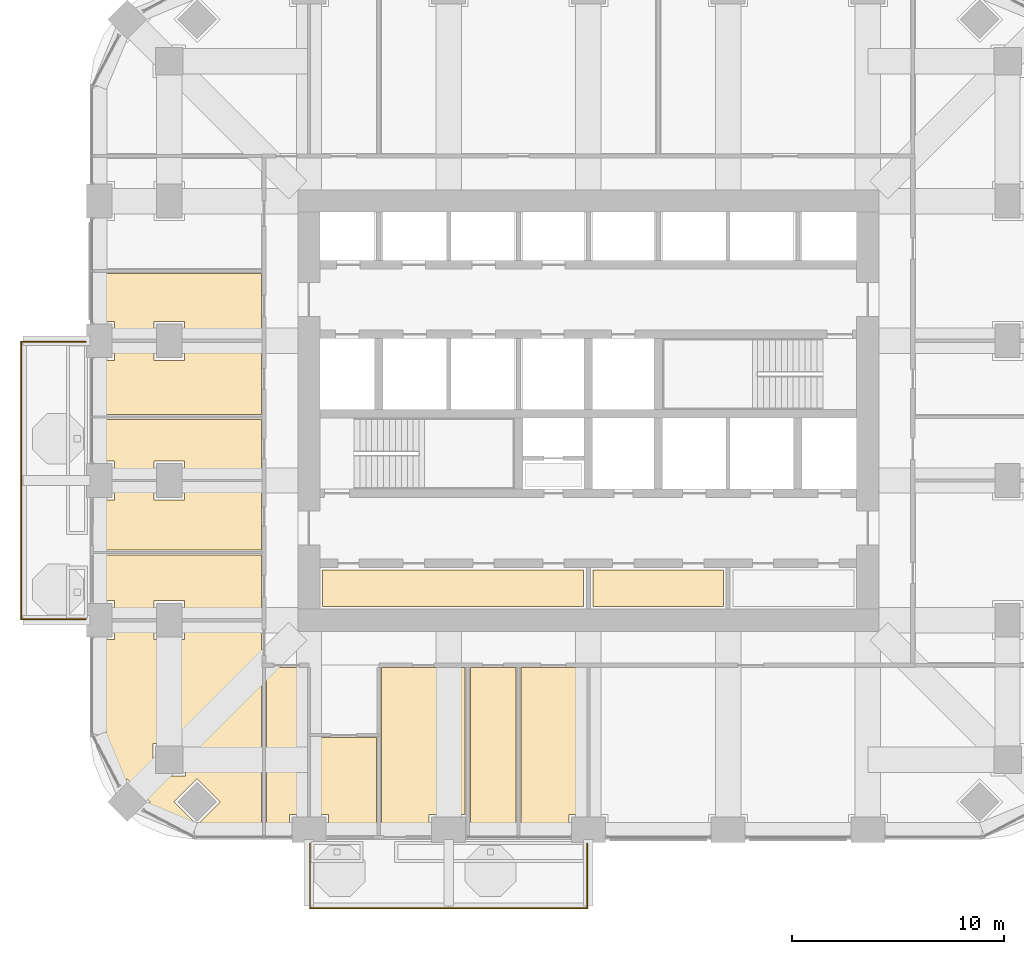
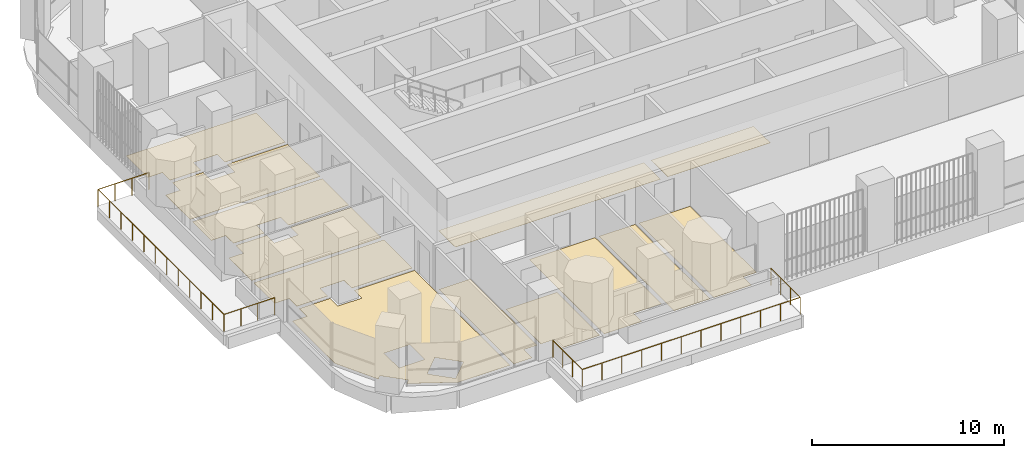
# One storey, part 15 of 19: 13 coverings, 2 railings.
"""IFC4 building model written with IfcOpenShell, lengths in metres."""

from ifc_helpers import new_model, si_unit, direction, frame, origin, place, context, subcontext, project, spatial, polyline, outline, extrude, material, layer, layer_set, type_object, element, save


model = new_model("IFC4")

# Units and contexts
model_context = context("Model", 3, precision=1e-05, world=origin(), true_north=direction((0.0, 1.0)))
body_context = subcontext(model_context, "Body", "Model", "MODEL_VIEW")
ifc_project = project(units=[si_unit("LENGTHUNIT", "METRE"), si_unit("AREAUNIT", "SQUARE_METRE"), si_unit("VOLUMEUNIT", "CUBIC_METRE"), si_unit("PLANEANGLEUNIT", "RADIAN"), si_unit("MASSUNIT", "GRAM", prefix="KILO")], contexts=[model_context])

# Site, building, storey
site_placement = place(None, origin())
site = spatial("IfcSite", under=ifc_project, at=site_placement, CompositionType="ELEMENT")
building_placement = place(site_placement, origin())
building = spatial("IfcBuilding", under=site, at=building_placement, Name="Cobogo Forest Laboratory Tower", CompositionType="ELEMENT")
storey_placement = place(building_placement, frame((0.0, 0.0, 159.89990234375)))
storey = spatial("IfcBuildingStorey", under=building, at=storey_placement, Name="L36", CompositionType="ELEMENT", Elevation=159.89990234375)

# Railings
ifc_material_1 = material(Name="Laminated glass balustrade", Category="glass")
railing_type = type_object("IfcRailingType", Name="BG1 glass balustrade 1100", PredefinedType="GUARDRAIL", material=ifc_material_1)
railing_1_placement = place(storey_placement, frame((13.25, 2.64990234375, 0.0)))
element("IfcRailing", 1, at=railing_1_placement, inside=storey, type_object=railing_type, Name="Balcony balustrade BAL-S1 L36", PredefinedType="GUARDRAIL", context=body_context, shape_type="SweptSolid", body=[
    extrude(outline(polyline([(0.022216796875, 0.00927734375), (0.00927734375, 0.022216796875), (-0.00927734375, 0.022216796875), (-0.022216796875, 0.00927734375), (-0.022216796875, -0.00927734375), (-0.00927734375, -0.022216796875), (0.00927734375, -0.022216796875), (0.022216796875, -0.00927734375), (0.022216796875, 0.00927734375)])), frame((0.0, 0.0, 1.077880859375), z_axis=(0.0, -1.0, 0.0), x_axis=(1.0, 0.0, 0.0)), (0.0, 0.0, 1.0), 3.0498046875),
    extrude(outline(polyline([(0.022216796875, 0.00927734375), (0.00927734375, 0.022216796875), (-0.00927734375, 0.022216796875), (-0.022216796875, 0.00927734375), (-0.022216796875, -0.00927734375), (-0.00927734375, -0.022216796875), (0.00927734375, -0.022216796875), (0.022216796875, -0.00927734375), (0.022216796875, 0.00927734375)])), frame((0.0, -3.0498046875, 1.077880859375), z_axis=(1.0, 0.0, 0.0), x_axis=(0.0, 1.0, 0.0)), (0.0, 0.0, 1.0), 13.10009765625),
    extrude(outline(polyline([(0.022216796875, 0.00927734375), (0.00927734375, 0.022216796875), (-0.00927734375, 0.022216796875), (-0.022216796875, 0.00927734375), (-0.022216796875, -0.00927734375), (-0.00927734375, -0.022216796875), (0.00927734375, -0.022216796875), (0.022216796875, -0.00927734375), (0.022216796875, 0.00927734375)])), frame((13.10009765625, -3.0498046875, 1.077880859375), z_axis=(0.0, 1.0, 0.0), x_axis=(-1.0, 0.0, 0.0)), (0.0, 0.0, 1.0), 3.0498046875),
    extrude(outline(polyline([(0.019287109375, 0.008056640625), (0.008056640625, 0.019287109375), (-0.008056640625, 0.019287109375), (-0.019287109375, 0.008056640625), (-0.019287109375, -0.008056640625), (-0.008056640625, -0.019287109375), (0.008056640625, -0.019287109375), (0.019287109375, -0.008056640625), (0.019287109375, 0.008056640625)])), origin(), (0.0, 0.0, 1.0), 1.077880859375),
    extrude(outline(polyline([(0.019287109375, 0.008056640625), (0.008056640625, 0.019287109375), (-0.008056640625, 0.019287109375), (-0.019287109375, 0.008056640625), (-0.019287109375, -0.008056640625), (-0.008056640625, -0.019287109375), (0.008056640625, -0.019287109375), (0.019287109375, -0.008056640625), (0.019287109375, 0.008056640625)])), frame((0.0, -1.0166015625, 0.0)), (0.0, 0.0, 1.0), 1.077880859375),
    extrude(outline(polyline([(0.019287109375, 0.008056640625), (0.008056640625, 0.019287109375), (-0.008056640625, 0.019287109375), (-0.019287109375, 0.008056640625), (-0.019287109375, -0.008056640625), (-0.008056640625, -0.019287109375), (0.008056640625, -0.019287109375), (0.019287109375, -0.008056640625), (0.019287109375, 0.008056640625)])), frame((0.0, -2.033203125, 0.0)), (0.0, 0.0, 1.0), 1.077880859375),
    extrude(outline(polyline([(0.019287109375, 0.008056640625), (0.008056640625, 0.019287109375), (-0.008056640625, 0.019287109375), (-0.019287109375, 0.008056640625), (-0.019287109375, -0.008056640625), (-0.008056640625, -0.019287109375), (0.008056640625, -0.019287109375), (0.019287109375, -0.008056640625), (0.019287109375, 0.008056640625)])), frame((0.0, -3.0498046875, 0.0)), (0.0, 0.0, 1.0), 1.077880859375),
    extrude(outline(polyline([(0.019287109375, 0.008056640625), (0.008056640625, 0.019287109375), (-0.008056640625, 0.019287109375), (-0.019287109375, 0.008056640625), (-0.019287109375, -0.008056640625), (-0.008056640625, -0.019287109375), (0.008056640625, -0.019287109375), (0.019287109375, -0.008056640625), (0.019287109375, 0.008056640625)])), frame((1.19091796875, -3.0498046875, 0.0)), (0.0, 0.0, 1.0), 1.077880859375),
    extrude(outline(polyline([(0.019287109375, 0.008056640625), (0.008056640625, 0.019287109375), (-0.008056640625, 0.019287109375), (-0.019287109375, 0.008056640625), (-0.019287109375, -0.008056640625), (-0.008056640625, -0.019287109375), (0.008056640625, -0.019287109375), (0.019287109375, -0.008056640625), (0.019287109375, 0.008056640625)])), frame((2.3818359375, -3.0498046875, 0.0)), (0.0, 0.0, 1.0), 1.077880859375),
    extrude(outline(polyline([(0.019287109375, 0.008056640625), (0.008056640625, 0.019287109375), (-0.008056640625, 0.019287109375), (-0.019287109375, 0.008056640625), (-0.019287109375, -0.008056640625), (-0.008056640625, -0.019287109375), (0.008056640625, -0.019287109375), (0.019287109375, -0.008056640625), (0.019287109375, 0.008056640625)])), frame((3.57275390625, -3.0498046875, 0.0)), (0.0, 0.0, 1.0), 1.077880859375),
    extrude(outline(polyline([(0.019287109375, 0.008056640625), (0.008056640625, 0.019287109375), (-0.008056640625, 0.019287109375), (-0.019287109375, 0.008056640625), (-0.019287109375, -0.008056640625), (-0.008056640625, -0.019287109375), (0.008056640625, -0.019287109375), (0.019287109375, -0.008056640625), (0.019287109375, 0.008056640625)])), frame((4.763671875, -3.0498046875, 0.0)), (0.0, 0.0, 1.0), 1.077880859375),
    extrude(outline(polyline([(0.019287109375, 0.008056640625), (0.008056640625, 0.019287109375), (-0.008056640625, 0.019287109375), (-0.019287109375, 0.008056640625), (-0.019287109375, -0.008056640625), (-0.008056640625, -0.019287109375), (0.008056640625, -0.019287109375), (0.019287109375, -0.008056640625), (0.019287109375, 0.008056640625)])), frame((5.95458984375, -3.0498046875, 0.0)), (0.0, 0.0, 1.0), 1.077880859375),
    extrude(outline(polyline([(0.019287109375, 0.008056640625), (0.008056640625, 0.019287109375), (-0.008056640625, 0.019287109375), (-0.019287109375, 0.008056640625), (-0.019287109375, -0.008056640625), (-0.008056640625, -0.019287109375), (0.008056640625, -0.019287109375), (0.019287109375, -0.008056640625), (0.019287109375, 0.008056640625)])), frame((7.1455078125, -3.0498046875, 0.0)), (0.0, 0.0, 1.0), 1.077880859375),
    extrude(outline(polyline([(0.019287109375, 0.008056640625), (0.008056640625, 0.019287109375), (-0.008056640625, 0.019287109375), (-0.019287109375, 0.008056640625), (-0.019287109375, -0.008056640625), (-0.008056640625, -0.019287109375), (0.008056640625, -0.019287109375), (0.019287109375, -0.008056640625), (0.019287109375, 0.008056640625)])), frame((8.33642578125, -3.0498046875, 0.0)), (0.0, 0.0, 1.0), 1.077880859375),
    extrude(outline(polyline([(0.019287109375, 0.008056640625), (0.008056640625, 0.019287109375), (-0.008056640625, 0.019287109375), (-0.019287109375, 0.008056640625), (-0.019287109375, -0.008056640625), (-0.008056640625, -0.019287109375), (0.008056640625, -0.019287109375), (0.019287109375, -0.008056640625), (0.019287109375, 0.008056640625)])), frame((9.52734375, -3.0498046875, 0.0)), (0.0, 0.0, 1.0), 1.077880859375),
    extrude(outline(polyline([(0.019287109375, 0.008056640625), (0.008056640625, 0.019287109375), (-0.008056640625, 0.019287109375), (-0.019287109375, 0.008056640625), (-0.019287109375, -0.008056640625), (-0.008056640625, -0.019287109375), (0.008056640625, -0.019287109375), (0.019287109375, -0.008056640625), (0.019287109375, 0.008056640625)])), frame((10.71826171875, -3.0498046875, 0.0)), (0.0, 0.0, 1.0), 1.077880859375),
    extrude(outline(polyline([(0.019287109375, 0.008056640625), (0.008056640625, 0.019287109375), (-0.008056640625, 0.019287109375), (-0.019287109375, 0.008056640625), (-0.019287109375, -0.008056640625), (-0.008056640625, -0.019287109375), (0.008056640625, -0.019287109375), (0.019287109375, -0.008056640625), (0.019287109375, 0.008056640625)])), frame((11.9091796875, -3.0498046875, 0.0)), (0.0, 0.0, 1.0), 1.077880859375),
    extrude(outline(polyline([(0.019287109375, 0.008056640625), (0.008056640625, 0.019287109375), (-0.008056640625, 0.019287109375), (-0.019287109375, 0.008056640625), (-0.019287109375, -0.008056640625), (-0.008056640625, -0.019287109375), (0.008056640625, -0.019287109375), (0.019287109375, -0.008056640625), (0.019287109375, 0.008056640625)])), frame((13.10009765625, -3.0498046875, 0.0)), (0.0, 0.0, 1.0), 1.077880859375),
    extrude(outline(polyline([(0.019287109375, 0.008056640625), (0.008056640625, 0.019287109375), (-0.008056640625, 0.019287109375), (-0.019287109375, 0.008056640625), (-0.019287109375, -0.008056640625), (-0.008056640625, -0.019287109375), (0.008056640625, -0.019287109375), (0.019287109375, -0.008056640625), (0.019287109375, 0.008056640625)])), frame((13.10009765625, -2.033203125, 0.0)), (0.0, 0.0, 1.0), 1.077880859375),
    extrude(outline(polyline([(0.019287109375, 0.008056640625), (0.008056640625, 0.019287109375), (-0.008056640625, 0.019287109375), (-0.019287109375, 0.008056640625), (-0.019287109375, -0.008056640625), (-0.008056640625, -0.019287109375), (0.008056640625, -0.019287109375), (0.019287109375, -0.008056640625), (0.019287109375, 0.008056640625)])), frame((13.10009765625, -1.0166015625, 0.0)), (0.0, 0.0, 1.0), 1.077880859375),
    extrude(outline(polyline([(0.019287109375, 0.008056640625), (0.008056640625, 0.019287109375), (-0.008056640625, 0.019287109375), (-0.019287109375, 0.008056640625), (-0.019287109375, -0.008056640625), (-0.008056640625, -0.019287109375), (0.008056640625, -0.019287109375), (0.019287109375, -0.008056640625), (0.019287109375, 0.008056640625)])), frame((13.10009765625, 0.0, 0.0)), (0.0, 0.0, 1.0), 1.077880859375),
])
railing_2_placement = place(storey_placement, frame((2.64990234375, 13.25, 0.0)))
element("IfcRailing", 2, at=railing_2_placement, inside=storey, type_object=railing_type, Name="Balcony balustrade BAL-W1 L36", PredefinedType="GUARDRAIL", context=body_context, shape_type="SweptSolid", body=[
    extrude(outline(polyline([(0.022216796875, 0.00927734375), (0.00927734375, 0.022216796875), (-0.00927734375, 0.022216796875), (-0.022216796875, 0.00927734375), (-0.022216796875, -0.00927734375), (-0.00927734375, -0.022216796875), (0.00927734375, -0.022216796875), (0.022216796875, -0.00927734375), (0.022216796875, 0.00927734375)])), frame((0.0, 0.0, 1.077880859375), z_axis=(-1.0, 0.0, 0.0), x_axis=(0.0, -1.0, 0.0)), (0.0, 0.0, 1.0), 3.0498046875),
    extrude(outline(polyline([(0.022216796875, 0.00927734375), (0.00927734375, 0.022216796875), (-0.00927734375, 0.022216796875), (-0.022216796875, 0.00927734375), (-0.022216796875, -0.00927734375), (-0.00927734375, -0.022216796875), (0.00927734375, -0.022216796875), (0.022216796875, -0.00927734375), (0.022216796875, 0.00927734375)])), frame((-3.0498046875, 0.0, 1.077880859375), z_axis=(0.0, 1.0, 0.0), x_axis=(-1.0, 0.0, 0.0)), (0.0, 0.0, 1.0), 13.10009765625),
    extrude(outline(polyline([(0.022216796875, 0.00927734375), (0.00927734375, 0.022216796875), (-0.00927734375, 0.022216796875), (-0.022216796875, 0.00927734375), (-0.022216796875, -0.00927734375), (-0.00927734375, -0.022216796875), (0.00927734375, -0.022216796875), (0.022216796875, -0.00927734375), (0.022216796875, 0.00927734375)])), frame((-3.0498046875, 13.10009765625, 1.077880859375), z_axis=(1.0, 0.0, 0.0), x_axis=(0.0, 1.0, 0.0)), (0.0, 0.0, 1.0), 3.0498046875),
    extrude(outline(polyline([(0.019287109375, 0.008056640625), (0.008056640625, 0.019287109375), (-0.008056640625, 0.019287109375), (-0.019287109375, 0.008056640625), (-0.019287109375, -0.008056640625), (-0.008056640625, -0.019287109375), (0.008056640625, -0.019287109375), (0.019287109375, -0.008056640625), (0.019287109375, 0.008056640625)])), origin(), (0.0, 0.0, 1.0), 1.077880859375),
    extrude(outline(polyline([(0.019287109375, 0.008056640625), (0.008056640625, 0.019287109375), (-0.008056640625, 0.019287109375), (-0.019287109375, 0.008056640625), (-0.019287109375, -0.008056640625), (-0.008056640625, -0.019287109375), (0.008056640625, -0.019287109375), (0.019287109375, -0.008056640625), (0.019287109375, 0.008056640625)])), frame((-1.0166015625, 0.0, 0.0)), (0.0, 0.0, 1.0), 1.077880859375),
    extrude(outline(polyline([(0.019287109375, 0.008056640625), (0.008056640625, 0.019287109375), (-0.008056640625, 0.019287109375), (-0.019287109375, 0.008056640625), (-0.019287109375, -0.008056640625), (-0.008056640625, -0.019287109375), (0.008056640625, -0.019287109375), (0.019287109375, -0.008056640625), (0.019287109375, 0.008056640625)])), frame((-2.033203125, 0.0, 0.0)), (0.0, 0.0, 1.0), 1.077880859375),
    extrude(outline(polyline([(0.019287109375, 0.008056640625), (0.008056640625, 0.019287109375), (-0.008056640625, 0.019287109375), (-0.019287109375, 0.008056640625), (-0.019287109375, -0.008056640625), (-0.008056640625, -0.019287109375), (0.008056640625, -0.019287109375), (0.019287109375, -0.008056640625), (0.019287109375, 0.008056640625)])), frame((-3.0498046875, 0.0, 0.0)), (0.0, 0.0, 1.0), 1.077880859375),
    extrude(outline(polyline([(0.019287109375, 0.008056640625), (0.008056640625, 0.019287109375), (-0.008056640625, 0.019287109375), (-0.019287109375, 0.008056640625), (-0.019287109375, -0.008056640625), (-0.008056640625, -0.019287109375), (0.008056640625, -0.019287109375), (0.019287109375, -0.008056640625), (0.019287109375, 0.008056640625)])), frame((-3.0498046875, 1.19091796875, 0.0)), (0.0, 0.0, 1.0), 1.077880859375),
    extrude(outline(polyline([(0.019287109375, 0.008056640625), (0.008056640625, 0.019287109375), (-0.008056640625, 0.019287109375), (-0.019287109375, 0.008056640625), (-0.019287109375, -0.008056640625), (-0.008056640625, -0.019287109375), (0.008056640625, -0.019287109375), (0.019287109375, -0.008056640625), (0.019287109375, 0.008056640625)])), frame((-3.0498046875, 2.3818359375, 0.0)), (0.0, 0.0, 1.0), 1.077880859375),
    extrude(outline(polyline([(0.019287109375, 0.008056640625), (0.008056640625, 0.019287109375), (-0.008056640625, 0.019287109375), (-0.019287109375, 0.008056640625), (-0.019287109375, -0.008056640625), (-0.008056640625, -0.019287109375), (0.008056640625, -0.019287109375), (0.019287109375, -0.008056640625), (0.019287109375, 0.008056640625)])), frame((-3.0498046875, 3.57275390625, 0.0)), (0.0, 0.0, 1.0), 1.077880859375),
    extrude(outline(polyline([(0.019287109375, 0.008056640625), (0.008056640625, 0.019287109375), (-0.008056640625, 0.019287109375), (-0.019287109375, 0.008056640625), (-0.019287109375, -0.008056640625), (-0.008056640625, -0.019287109375), (0.008056640625, -0.019287109375), (0.019287109375, -0.008056640625), (0.019287109375, 0.008056640625)])), frame((-3.0498046875, 4.763671875, 0.0)), (0.0, 0.0, 1.0), 1.077880859375),
    extrude(outline(polyline([(0.019287109375, 0.008056640625), (0.008056640625, 0.019287109375), (-0.008056640625, 0.019287109375), (-0.019287109375, 0.008056640625), (-0.019287109375, -0.008056640625), (-0.008056640625, -0.019287109375), (0.008056640625, -0.019287109375), (0.019287109375, -0.008056640625), (0.019287109375, 0.008056640625)])), frame((-3.0498046875, 5.95458984375, 0.0)), (0.0, 0.0, 1.0), 1.077880859375),
    extrude(outline(polyline([(0.019287109375, 0.008056640625), (0.008056640625, 0.019287109375), (-0.008056640625, 0.019287109375), (-0.019287109375, 0.008056640625), (-0.019287109375, -0.008056640625), (-0.008056640625, -0.019287109375), (0.008056640625, -0.019287109375), (0.019287109375, -0.008056640625), (0.019287109375, 0.008056640625)])), frame((-3.0498046875, 7.1455078125, 0.0)), (0.0, 0.0, 1.0), 1.077880859375),
    extrude(outline(polyline([(0.019287109375, 0.008056640625), (0.008056640625, 0.019287109375), (-0.008056640625, 0.019287109375), (-0.019287109375, 0.008056640625), (-0.019287109375, -0.008056640625), (-0.008056640625, -0.019287109375), (0.008056640625, -0.019287109375), (0.019287109375, -0.008056640625), (0.019287109375, 0.008056640625)])), frame((-3.0498046875, 8.33642578125, 0.0)), (0.0, 0.0, 1.0), 1.077880859375),
    extrude(outline(polyline([(0.019287109375, 0.008056640625), (0.008056640625, 0.019287109375), (-0.008056640625, 0.019287109375), (-0.019287109375, 0.008056640625), (-0.019287109375, -0.008056640625), (-0.008056640625, -0.019287109375), (0.008056640625, -0.019287109375), (0.019287109375, -0.008056640625), (0.019287109375, 0.008056640625)])), frame((-3.0498046875, 9.52734375, 0.0)), (0.0, 0.0, 1.0), 1.077880859375),
    extrude(outline(polyline([(0.019287109375, 0.008056640625), (0.008056640625, 0.019287109375), (-0.008056640625, 0.019287109375), (-0.019287109375, 0.008056640625), (-0.019287109375, -0.008056640625), (-0.008056640625, -0.019287109375), (0.008056640625, -0.019287109375), (0.019287109375, -0.008056640625), (0.019287109375, 0.008056640625)])), frame((-3.0498046875, 10.71826171875, 0.0)), (0.0, 0.0, 1.0), 1.077880859375),
    extrude(outline(polyline([(0.019287109375, 0.008056640625), (0.008056640625, 0.019287109375), (-0.008056640625, 0.019287109375), (-0.019287109375, 0.008056640625), (-0.019287109375, -0.008056640625), (-0.008056640625, -0.019287109375), (0.008056640625, -0.019287109375), (0.019287109375, -0.008056640625), (0.019287109375, 0.008056640625)])), frame((-3.0498046875, 11.9091796875, 0.0)), (0.0, 0.0, 1.0), 1.077880859375),
    extrude(outline(polyline([(0.019287109375, 0.008056640625), (0.008056640625, 0.019287109375), (-0.008056640625, 0.019287109375), (-0.019287109375, 0.008056640625), (-0.019287109375, -0.008056640625), (-0.008056640625, -0.019287109375), (0.008056640625, -0.019287109375), (0.019287109375, -0.008056640625), (0.019287109375, 0.008056640625)])), frame((-3.0498046875, 13.10009765625, 0.0)), (0.0, 0.0, 1.0), 1.077880859375),
    extrude(outline(polyline([(0.019287109375, 0.008056640625), (0.008056640625, 0.019287109375), (-0.008056640625, 0.019287109375), (-0.019287109375, 0.008056640625), (-0.019287109375, -0.008056640625), (-0.008056640625, -0.019287109375), (0.008056640625, -0.019287109375), (0.019287109375, -0.008056640625), (0.019287109375, 0.008056640625)])), frame((-2.033203125, 13.10009765625, 0.0)), (0.0, 0.0, 1.0), 1.077880859375),
    extrude(outline(polyline([(0.019287109375, 0.008056640625), (0.008056640625, 0.019287109375), (-0.008056640625, 0.019287109375), (-0.019287109375, 0.008056640625), (-0.019287109375, -0.008056640625), (-0.008056640625, -0.019287109375), (0.008056640625, -0.019287109375), (0.019287109375, -0.008056640625), (0.019287109375, 0.008056640625)])), frame((-1.0166015625, 13.10009765625, 0.0)), (0.0, 0.0, 1.0), 1.077880859375),
    extrude(outline(polyline([(0.019287109375, 0.008056640625), (0.008056640625, 0.019287109375), (-0.008056640625, 0.019287109375), (-0.019287109375, 0.008056640625), (-0.019287109375, -0.008056640625), (-0.008056640625, -0.019287109375), (0.008056640625, -0.019287109375), (0.019287109375, -0.008056640625), (0.019287109375, 0.008056640625)])), frame((0.0, 13.10009765625, 0.0)), (0.0, 0.0, 1.0), 1.077880859375),
])

# Coverings
ifc_material_2 = material(Name="Carpet tile on raised access floor", Category="flooring")
ifc_layer_1 = layer(ifc_material_2, 0.008056640625)
ifc_layer_set_1 = layer_set([ifc_layer_1], Name="CT1 carpet tile floor 8")
covering_type_1 = type_object("IfcCoveringType", Name="CT1 carpet tile floor 8", PredefinedType="FLOORING", material=ifc_layer_set_1)
covering_1_placement = place(storey_placement, origin())
element("IfcCovering", 3, at=covering_1_placement, inside=storey, type_object=covering_type_1, Name="Carpet floor L36-03", PredefinedType="FLOORING", context=body_context, shape_type="SweptSolid", body=[
    extrude(outline(polyline([(20.580078125, 4.02001953125), (18.8798828125, 4.02001953125), (18.8798828125, 3.14990234375), (16.6201171875, 3.14990234375), (16.6201171875, 10.955078125), (20.580078125, 10.955078125), (20.580078125, 4.02001953125)])), origin(), (0.0, 0.0, 1.0), 0.008056640625),
])
covering_2_placement = place(storey_placement, origin())
element("IfcCovering", 4, at=covering_2_placement, inside=storey, type_object=covering_type_1, Name="Carpet floor L36-20", PredefinedType="FLOORING", context=body_context, shape_type="SweptSolid", body=[
    extrude(outline(polyline([(10.955078125, 26.52001953125), (7.320068359375, 26.52001953125), (7.320068359375, 27.320068359375), (5.8798828125, 27.320068359375), (5.8798828125, 26.52001953125), (4.02001953125, 26.52001953125), (4.02001953125, 27.320068359375), (3.14990234375, 27.320068359375), (3.14990234375, 29.580078125), (10.955078125, 29.580078125), (10.955078125, 26.52001953125)])), origin(), (0.0, 0.0, 1.0), 0.008056640625),
])
covering_3_placement = place(storey_placement, origin())
element("IfcCovering", 5, at=covering_3_placement, inside=storey, type_object=covering_type_1, Name="Carpet floor L36-30", PredefinedType="FLOORING", context=body_context, shape_type="SweptSolid", body=[
    extrude(outline(polyline([(26.179931640625, 13.844970703125), (13.844970703125, 13.844970703125), (13.844970703125, 15.580078125), (26.179931640625, 15.580078125), (26.179931640625, 13.844970703125)])), origin(), (0.0, 0.0, 1.0), 0.008056640625),
])
covering_4_placement = place(storey_placement, origin())
element("IfcCovering", 6, at=covering_4_placement, inside=storey, type_object=covering_type_1, Name="Carpet floor L36-31", PredefinedType="FLOORING", context=body_context, shape_type="SweptSolid", body=[
    extrude(outline(polyline([(32.780029296875, 13.844970703125), (26.6201171875, 13.844970703125), (26.6201171875, 15.580078125), (32.780029296875, 15.580078125), (32.780029296875, 13.844970703125)])), origin(), (0.0, 0.0, 1.0), 0.008056640625),
])
ifc_material_3 = material(Name="Static-dissipative vinyl flooring", Category="flooring")
ifc_layer_2 = layer(ifc_material_3, 0.0029296875)
ifc_layer_set_2 = layer_set([ifc_layer_2], Name="SD1 static-dissipative vinyl floor 3")
covering_type_2 = type_object("IfcCoveringType", Name="SD1 static-dissipative vinyl floor 3", PredefinedType="FLOORING", material=ifc_layer_set_2)
covering_5_placement = place(storey_placement, origin())
element("IfcCovering", 7, at=covering_5_placement, inside=storey, type_object=covering_type_2, Name="Static-dissipative floor L36-01", PredefinedType="FLOORING", context=body_context, shape_type="SweptSolid", body=[
    extrude(outline(polyline([(13.080078125, 10.955078125), (13.080078125, 4.02001953125), (12.280029296875, 4.02001953125), (12.280029296875, 3.14990234375), (11.195068359375, 3.14990234375), (11.195068359375, 10.955078125), (13.080078125, 10.955078125)])), origin(), (0.0, 0.0, 1.0), 0.003173828125),
])
covering_6_placement = place(storey_placement, origin())
element("IfcCovering", 8, at=covering_6_placement, inside=storey, type_object=covering_type_2, Name="Static-dissipative floor L36-02", PredefinedType="FLOORING", context=body_context, shape_type="SweptSolid", body=[
    extrude(outline(polyline([(16.3798828125, 7.655029296875), (16.3798828125, 3.14990234375), (14.1201171875, 3.14990234375), (14.1201171875, 4.02001953125), (13.320068359375, 4.02001953125), (13.320068359375, 7.655029296875), (16.3798828125, 7.655029296875)])), origin(), (0.0, 0.0, 1.0), 0.003173828125),
])
covering_7_placement = place(storey_placement, origin())
element("IfcCovering", 9, at=covering_7_placement, inside=storey, type_object=covering_type_2, Name="Static-dissipative floor L36-05", PredefinedType="FLOORING", context=body_context, shape_type="SweptSolid", body=[
    extrude(outline(polyline([(26.280029296875, 10.955078125), (26.280029296875, 4.02001953125), (25.47998046875, 4.02001953125), (25.47998046875, 3.14990234375), (23.219970703125, 3.14990234375), (23.219970703125, 10.955078125), (26.280029296875, 10.955078125)])), origin(), (0.0, 0.0, 1.0), 0.003173828125),
])
covering_8_placement = place(storey_placement, origin())
element("IfcCovering", 10, at=covering_8_placement, inside=storey, type_object=covering_type_2, Name="Static-dissipative floor L36-15", PredefinedType="FLOORING", context=body_context, shape_type="SweptSolid", body=[
    extrude(outline(polyline([(10.955078125, 3.14990234375), (7.84912109375, 3.14990234375), (5.480712890625, 4.3916015625), (5.70703125, 4.617919921875), (4.617919921875, 5.70703125), (4.3916015625, 5.480712890625), (3.14990234375, 7.84912109375), (3.14990234375, 12.280029296875), (4.02001953125, 12.280029296875), (4.02001953125, 13.080078125), (5.8798828125, 13.080078125), (5.8798828125, 12.280029296875), (7.320068359375, 12.280029296875), (7.320068359375, 13.080078125), (10.955078125, 13.080078125), (10.955078125, 3.14990234375)]), holes=[polyline([(7.91796875, 3.529052734375), (9.007080078125, 4.617919921875), (7.91796875, 5.70703125), (6.8291015625, 4.617919921875), (7.91796875, 3.529052734375)]), polyline([(5.830078125, 5.830078125), (7.3701171875, 5.830078125), (7.3701171875, 7.3701171875), (5.830078125, 7.3701171875), (5.830078125, 5.830078125)])]), origin(), (0.0, 0.0, 1.0), 0.003173828125),
])
ifc_material_4 = material(Name="Ceramic floor tile", Category="flooring")
ifc_layer_3 = layer(ifc_material_4, 0.010009765625)
ifc_layer_set_3 = layer_set([ifc_layer_3], Name="TF1 ceramic tile floor 10")
covering_type_3 = type_object("IfcCoveringType", Name="TF1 ceramic tile floor 10", PredefinedType="FLOORING", material=ifc_layer_set_3)
covering_9_placement = place(storey_placement, origin())
element("IfcCovering", 11, at=covering_9_placement, inside=storey, type_object=covering_type_3, Name="Tile floor L36-04", PredefinedType="FLOORING", context=body_context, shape_type="SweptSolid", body=[
    extrude(outline(polyline([(20.820068359375, 10.955078125), (22.97998046875, 10.955078125), (22.97998046875, 3.14990234375), (20.820068359375, 3.14990234375), (20.820068359375, 10.955078125)])), origin(), (0.0, 0.0, 1.0), 0.010009765625),
])
covering_10_placement = place(storey_placement, origin())
element("IfcCovering", 12, at=covering_10_placement, inside=storey, type_object=covering_type_3, Name="Tile floor L36-16", PredefinedType="FLOORING", context=body_context, shape_type="SweptSolid", body=[
    extrude(outline(polyline([(10.955078125, 13.320068359375), (7.320068359375, 13.320068359375), (7.320068359375, 14.1201171875), (5.8798828125, 14.1201171875), (5.8798828125, 13.320068359375), (4.02001953125, 13.320068359375), (4.02001953125, 14.1201171875), (3.14990234375, 14.1201171875), (3.14990234375, 16.280029296875), (10.955078125, 16.280029296875), (10.955078125, 13.320068359375)])), origin(), (0.0, 0.0, 1.0), 0.010009765625),
])
covering_11_placement = place(storey_placement, origin())
element("IfcCovering", 13, at=covering_11_placement, inside=storey, type_object=covering_type_3, Name="Tile floor L36-17", PredefinedType="FLOORING", context=body_context, shape_type="SweptSolid", body=[
    extrude(outline(polyline([(10.955078125, 16.52001953125), (3.14990234375, 16.52001953125), (3.14990234375, 18.8798828125), (4.02001953125, 18.8798828125), (4.02001953125, 19.679931640625), (5.8798828125, 19.679931640625), (5.8798828125, 18.8798828125), (7.320068359375, 18.8798828125), (7.320068359375, 19.679931640625), (10.955078125, 19.679931640625), (10.955078125, 16.52001953125)])), origin(), (0.0, 0.0, 1.0), 0.010009765625),
])
covering_12_placement = place(storey_placement, origin())
element("IfcCovering", 14, at=covering_12_placement, inside=storey, type_object=covering_type_3, Name="Tile floor L36-18", PredefinedType="FLOORING", context=body_context, shape_type="SweptSolid", body=[
    extrude(outline(polyline([(10.955078125, 19.919921875), (7.320068359375, 19.919921875), (7.320068359375, 20.719970703125), (5.8798828125, 20.719970703125), (5.8798828125, 19.919921875), (4.02001953125, 19.919921875), (4.02001953125, 20.719970703125), (3.14990234375, 20.719970703125), (3.14990234375, 22.679931640625), (10.955078125, 22.679931640625), (10.955078125, 19.919921875)])), origin(), (0.0, 0.0, 1.0), 0.010009765625),
])
covering_13_placement = place(storey_placement, origin())
element("IfcCovering", 15, at=covering_13_placement, inside=storey, type_object=covering_type_3, Name="Tile floor L36-19", PredefinedType="FLOORING", context=body_context, shape_type="SweptSolid", body=[
    extrude(outline(polyline([(10.955078125, 22.919921875), (3.14990234375, 22.919921875), (3.14990234375, 25.47998046875), (4.02001953125, 25.47998046875), (4.02001953125, 26.280029296875), (5.8798828125, 26.280029296875), (5.8798828125, 25.47998046875), (7.320068359375, 25.47998046875), (7.320068359375, 26.280029296875), (10.955078125, 26.280029296875), (10.955078125, 22.919921875)])), origin(), (0.0, 0.0, 1.0), 0.010009765625),
])

save(model, "model.ifc")
